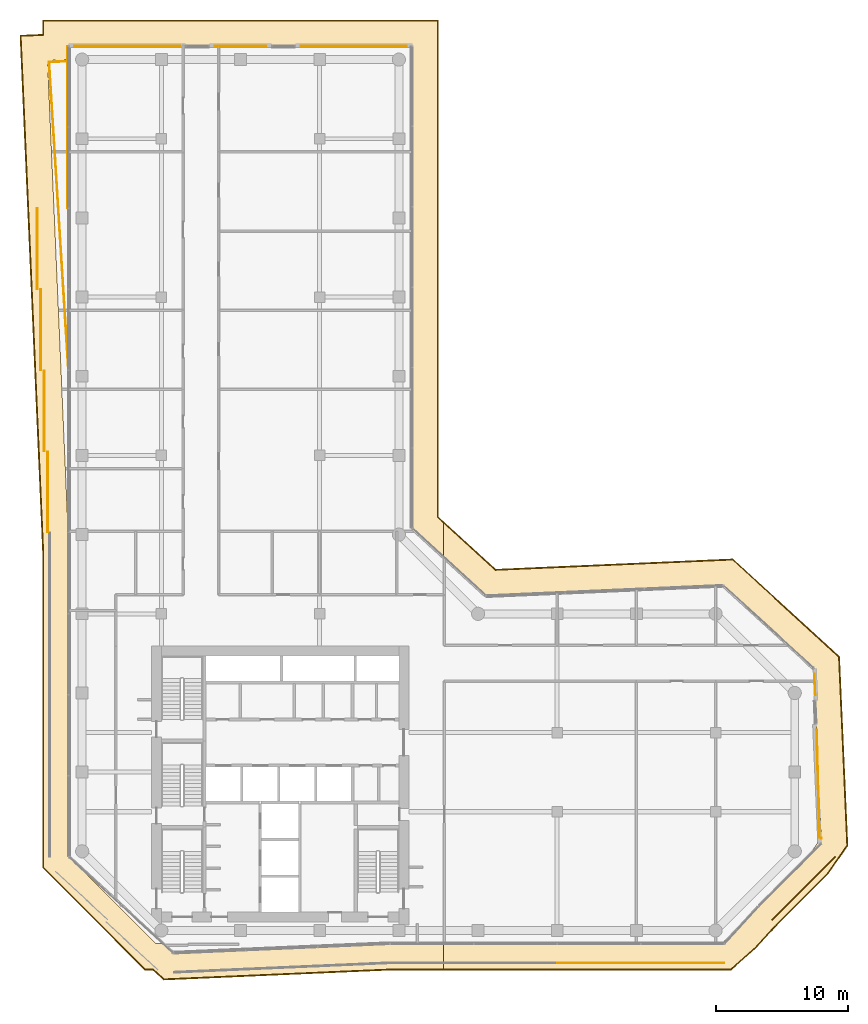
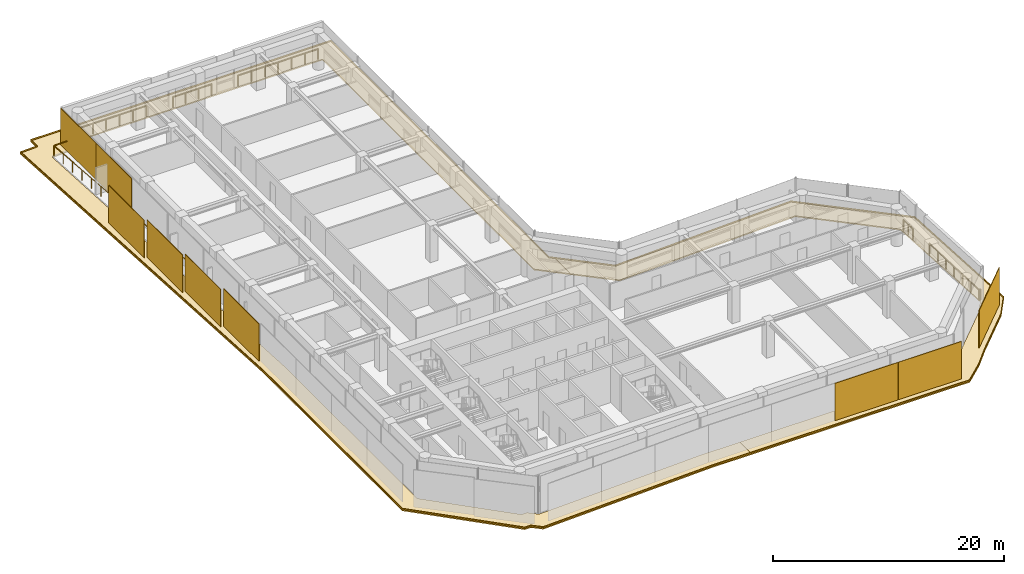
# One storey, part 24 of 24: 13 coverings, 6 railings.
"""IFC4 building model written with IfcOpenShell, lengths in metres."""

from ifc_helpers import new_model, si_unit, direction, frame, origin, origin_2d, place, context, subcontext, project, spatial, polyline, rectangle, circle, outline, extrude, material, layer, layer_set, type_object, element, save


model = new_model("IFC4")

# Units and contexts
model_context = context("Model", 3, precision=1e-05, world=origin(), true_north=direction((0.0, 1.0)))
body_context = subcontext(model_context, "Body", "Model", "MODEL_VIEW")
ifc_project = project(units=[si_unit("LENGTHUNIT", "METRE"), si_unit("AREAUNIT", "SQUARE_METRE"), si_unit("VOLUMEUNIT", "CUBIC_METRE"), si_unit("PLANEANGLEUNIT", "RADIAN"), si_unit("MASSUNIT", "GRAM", prefix="KILO")], contexts=[model_context])

# Site, building, storey
site_placement = place(None, origin())
site = spatial("IfcSite", under=ifc_project, at=site_placement, CompositionType="ELEMENT")
building_placement = place(site_placement, origin())
building = spatial("IfcBuilding", under=site, at=building_placement, Name="Welwitschia Terrace Campus", CompositionType="ELEMENT")
storey_placement = place(building_placement, frame((0.0, 0.0, 100.39990234375)))
storey = spatial("IfcBuildingStorey", under=building, at=storey_placement, Name="L22", CompositionType="ELEMENT", Elevation=100.39990234375)

# Coverings
ifc_material_1 = material(Name="Bronze mesh aluminium screen", Category="aluminium")
ifc_layer_1 = layer(ifc_material_1, 0.06005859375)
ifc_layer_set_1 = layer_set([ifc_layer_1], Name="Bronze mesh aluminium screen")
covering_type_1 = type_object("IfcCoveringType", Name="Bronze screen 60", PredefinedType="USERDEFINED", material=ifc_layer_set_1)
for number, where, z_axis, x_axis, name in (
    (1, (39.1669921875, 1.5400390625, 0.0), (0.0, 0.0, 1.0), (1.0, 0.0, 0.0), "Screen L22.2.2"),
    (2, (45.49853515625, 1.5400390625, 0.0), (0.0, 0.0, 1.0), (1.0, 0.0, 0.0), "Screen L22.2.3"),
):
    element("IfcCovering", number, at=place(storey_placement, frame(where, z_axis=z_axis, x_axis=x_axis)), inside=storey, type_object=covering_type_1, Name=name, ObjectType="SCREEN", PredefinedType="USERDEFINED", context=body_context, shape_type="SweptSolid", body=[
        extrude(rectangle(XDim=6.3115234375, YDim=0.06005859375, at=origin_2d()), origin(), (0.0, 0.0, 1.0), 3.949951171875),
    ])
covering_1_placement = place(storey_placement, frame((54.6689453125, 7.18994140625, 0.0), z_axis=(0.0, 0.0, 1.0), x_axis=(0.707106781187, 0.707106781187, 0.0)))
element("IfcCovering", 3, at=covering_1_placement, inside=storey, type_object=covering_type_1, Name="Screen L22.4.0", ObjectType="SCREEN", PredefinedType="USERDEFINED", context=body_context, shape_type="SweptSolid", body=[
    extrude(rectangle(XDim=6.73828125, YDim=0.06005859375, at=origin_2d()), origin(), (0.0, 0.0, 1.0), 3.949951171875),
])
for number, where, z_axis, x_axis, name in (
    (4, (-1.1201171875, 67.957275390625, 0.0), (0.0, 0.0, 1.0), (0.0, -1.0, 0.0), "Screen L22.11.0"),
    (5, (-1.1201171875, 61.8115234375, 0.0), (0.0, 0.0, 1.0), (0.0, -1.0, 0.0), "Screen L22.11.1"),
):
    element("IfcCovering", number, at=place(storey_placement, frame(where, z_axis=z_axis, x_axis=x_axis)), inside=storey, type_object=covering_type_1, Name=name, ObjectType="SCREEN", PredefinedType="USERDEFINED", context=body_context, shape_type="SweptSolid", body=[
        extrude(rectangle(XDim=6.125732421875, YDim=0.06005859375, at=origin_2d()), origin(), (0.0, 0.0, 1.0), 3.85009765625),
    ])
for number, where, z_axis, x_axis, name in (
    (6, (-3.4033203125, 55.665771484375, 0.0), (0.0, 0.0, 1.0), (0.0, -1.0, 0.0), "Screen L22.11.2"),
    (7, (-3.13525390625, 49.520263671875, 0.0), (0.0, 0.0, 1.0), (0.0, -1.0, 0.0), "Screen L22.11.3"),
    (8, (-2.8671875, 43.37451171875, 0.0), (0.0, 0.0, 1.0), (0.0, -1.0, 0.0), "Screen L22.11.4"),
    (9, (-2.59912109375, 37.228759765625, 0.0), (0.0, 0.0, 1.0), (0.0, -1.0, 0.0), "Screen L22.11.5"),
):
    element("IfcCovering", number, at=place(storey_placement, frame(where, z_axis=z_axis, x_axis=x_axis)), inside=storey, type_object=covering_type_1, Name=name, ObjectType="SCREEN", PredefinedType="USERDEFINED", context=body_context, shape_type="SweptSolid", body=[
        extrude(rectangle(XDim=6.125732421875, YDim=0.06005859375, at=origin_2d()), origin(), (0.0, 0.0, 1.0), 3.949951171875),
    ])

# Railings
ifc_material_2 = material(Name="Stainless steel grade 316", Category="steel")
railing_type = type_object("IfcRailingType", Name="Guard 1100", PredefinedType="GUARDRAIL", material=ifc_material_2)
railing_1_placement = place(storey_placement, frame((-1.030029296875, 46.408447265625, 0.0)))
element("IfcRailing", 10, at=railing_1_placement, inside=storey, type_object=railing_type, Name="Guard floor edge L22.0", PredefinedType="GUARDRAIL", context=body_context, shape_type="SweptSolid", body=[
    extrude(circle(Radius=0.02392578125, at=origin_2d()), frame((0.0, 0.0, 1.076171875), z_axis=(-0.062757389096, 0.998028812266, 0.0), x_axis=(-0.998028812266, -0.062757389096, 0.0)), (0.0, 0.0, 1.0), 23.4541015625),
    extrude(circle(Radius=0.02392578125, at=origin_2d()), frame((-1.471923828125, 23.407958984375, 1.076171875), z_axis=(0.999539656889, 0.030339319491, 0.0), x_axis=(-0.030339319491, 0.999539656889, 0.0)), (0.0, 0.0, 1.0), 1.47265625),
    extrude(circle(Radius=0.02099609375, at=origin_2d()), origin(), (0.0, 0.0, 1.0), 1.052001953125),
    extrude(circle(Radius=0.02099609375, at=origin_2d()), frame((-0.092041015625, 1.462890625, 0.0)), (0.0, 0.0, 1.0), 1.052001953125),
    extrude(circle(Radius=0.02099609375, at=origin_2d()), frame((-0.18408203125, 2.926025390625, 0.0)), (0.0, 0.0, 1.0), 1.052001953125),
    extrude(circle(Radius=0.02099609375, at=origin_2d()), frame((-0.27587890625, 4.388916015625, 0.0)), (0.0, 0.0, 1.0), 1.052001953125),
    extrude(circle(Radius=0.02099609375, at=origin_2d()), frame((-0.367919921875, 5.85205078125, 0.0)), (0.0, 0.0, 1.0), 1.052001953125),
    extrude(circle(Radius=0.02099609375, at=origin_2d()), frame((-0.4599609375, 7.31494140625, 0.0)), (0.0, 0.0, 1.0), 1.052001953125),
    extrude(circle(Radius=0.02099609375, at=origin_2d()), frame((-0.552001953125, 8.778076171875, 0.0)), (0.0, 0.0, 1.0), 1.052001953125),
    extrude(circle(Radius=0.02099609375, at=origin_2d()), frame((-0.64404296875, 10.240966796875, 0.0)), (0.0, 0.0, 1.0), 1.052001953125),
    extrude(circle(Radius=0.02099609375, at=origin_2d()), frame((-0.73583984375, 11.7041015625, 0.0)), (0.0, 0.0, 1.0), 1.052001953125),
    extrude(circle(Radius=0.02099609375, at=origin_2d()), frame((-0.827880859375, 13.1669921875, 0.0)), (0.0, 0.0, 1.0), 1.052001953125),
    extrude(circle(Radius=0.02099609375, at=origin_2d()), frame((-0.919921875, 14.6298828125, 0.0)), (0.0, 0.0, 1.0), 1.052001953125),
    extrude(circle(Radius=0.02099609375, at=origin_2d()), frame((-1.011962890625, 16.093017578125, 0.0)), (0.0, 0.0, 1.0), 1.052001953125),
    extrude(circle(Radius=0.02099609375, at=origin_2d()), frame((-1.10400390625, 17.555908203125, 0.0)), (0.0, 0.0, 1.0), 1.052001953125),
    extrude(circle(Radius=0.02099609375, at=origin_2d()), frame((-1.196044921875, 19.01904296875, 0.0)), (0.0, 0.0, 1.0), 1.052001953125),
    extrude(circle(Radius=0.02099609375, at=origin_2d()), frame((-1.287841796875, 20.48193359375, 0.0)), (0.0, 0.0, 1.0), 1.052001953125),
    extrude(circle(Radius=0.02099609375, at=origin_2d()), frame((-1.3798828125, 21.945068359375, 0.0)), (0.0, 0.0, 1.0), 1.052001953125),
    extrude(circle(Radius=0.02099609375, at=origin_2d()), frame((-1.471923828125, 23.407958984375, 0.0)), (0.0, 0.0, 1.0), 1.052001953125),
    extrude(circle(Radius=0.02099609375, at=origin_2d()), frame((0.0, 23.45263671875, 0.0)), (0.0, 0.0, 1.0), 1.052001953125),
])
railing_2_placement = place(storey_placement, frame((-0.580078125, 71.030029296875, 0.0)))
element("IfcRailing", 11, at=railing_2_placement, inside=storey, type_object=railing_type, Name="Guard floor edge L22.1", PredefinedType="GUARDRAIL", context=body_context, shape_type="SweptSolid", body=[
    extrude(circle(Radius=0.02392578125, at=origin_2d()), frame((0.0, 0.0, 1.076171875), z_axis=(1.0, 0.0, 0.0), x_axis=(0.0, 1.0, 0.0)), (0.0, 0.0, 1.0), 7.998779296875),
    extrude(circle(Radius=0.02099609375, at=origin_2d()), origin(), (0.0, 0.0, 1.0), 1.052001953125),
    extrude(circle(Radius=0.02099609375, at=origin_2d()), frame((1.3330078125, 0.0, 0.0)), (0.0, 0.0, 1.0), 1.052001953125),
    extrude(circle(Radius=0.02099609375, at=origin_2d()), frame((2.666259765625, 0.0, 0.0)), (0.0, 0.0, 1.0), 1.052001953125),
    extrude(circle(Radius=0.02099609375, at=origin_2d()), frame((3.99951171875, 0.0, 0.0)), (0.0, 0.0, 1.0), 1.052001953125),
    extrude(circle(Radius=0.02099609375, at=origin_2d()), frame((5.33251953125, 0.0, 0.0)), (0.0, 0.0, 1.0), 1.052001953125),
    extrude(circle(Radius=0.02099609375, at=origin_2d()), frame((6.66552734375, 0.0, 0.0)), (0.0, 0.0, 1.0), 1.052001953125),
    extrude(circle(Radius=0.02099609375, at=origin_2d()), frame((7.998779296875, 0.0, 0.0)), (0.0, 0.0, 1.0), 1.052001953125),
])
railing_3_placement = place(storey_placement, frame((10.066162109375, 71.030029296875, 0.0)))
element("IfcRailing", 12, at=railing_3_placement, inside=storey, type_object=railing_type, Name="Guard floor edge L22.2", PredefinedType="GUARDRAIL", context=body_context, shape_type="SweptSolid", body=[
    extrude(circle(Radius=0.02392578125, at=origin_2d()), frame((0.0, 0.0, 1.076171875), z_axis=(1.0, 0.0, 0.0), x_axis=(0.0, 1.0, 0.0)), (0.0, 0.0, 1.0), 3.86767578125),
    extrude(circle(Radius=0.02099609375, at=origin_2d()), origin(), (0.0, 0.0, 1.0), 1.052001953125),
    extrude(circle(Radius=0.02099609375, at=origin_2d()), frame((1.289306640625, 0.0, 0.0)), (0.0, 0.0, 1.0), 1.052001953125),
    extrude(circle(Radius=0.02099609375, at=origin_2d()), frame((2.578369140625, 0.0, 0.0)), (0.0, 0.0, 1.0), 1.052001953125),
    extrude(circle(Radius=0.02099609375, at=origin_2d()), frame((3.86767578125, 0.0, 0.0)), (0.0, 0.0, 1.0), 1.052001953125),
])
railing_4_placement = place(storey_placement, frame((16.581298828125, 71.030029296875, 0.0)))
element("IfcRailing", 13, at=railing_4_placement, inside=storey, type_object=railing_type, Name="Guard floor edge L22.3", PredefinedType="GUARDRAIL", context=body_context, shape_type="SweptSolid", body=[
    extrude(circle(Radius=0.02392578125, at=origin_2d()), frame((0.0, 0.0, 1.076171875), z_axis=(1.0, 0.0, 0.0), x_axis=(0.0, 1.0, 0.0)), (0.0, 0.0, 1.0), 7.998779296875),
    extrude(circle(Radius=0.02099609375, at=origin_2d()), origin(), (0.0, 0.0, 1.0), 1.052001953125),
    extrude(circle(Radius=0.02099609375, at=origin_2d()), frame((1.3330078125, 0.0, 0.0)), (0.0, 0.0, 1.0), 1.052001953125),
    extrude(circle(Radius=0.02099609375, at=origin_2d()), frame((2.666259765625, 0.0, 0.0)), (0.0, 0.0, 1.0), 1.052001953125),
    extrude(circle(Radius=0.02099609375, at=origin_2d()), frame((3.99951171875, 0.0, 0.0)), (0.0, 0.0, 1.0), 1.052001953125),
    extrude(circle(Radius=0.02099609375, at=origin_2d()), frame((5.33251953125, 0.0, 0.0)), (0.0, 0.0, 1.0), 1.052001953125),
    extrude(circle(Radius=0.02099609375, at=origin_2d()), frame((6.66552734375, 0.0, 0.0)), (0.0, 0.0, 1.0), 1.052001953125),
    extrude(circle(Radius=0.02099609375, at=origin_2d()), frame((7.998779296875, 0.0, 0.0)), (0.0, 0.0, 1.0), 1.052001953125),
])
railing_5_placement = place(storey_placement, frame((55.48681640625, 23.4248046875, 0.0)))
element("IfcRailing", 14, at=railing_5_placement, inside=storey, type_object=railing_type, Name="Guard floor edge L22.4", PredefinedType="GUARDRAIL", context=body_context, shape_type="SweptSolid", body=[
    extrude(circle(Radius=0.02392578125, at=origin_2d()), frame((0.0, 0.0, 1.076171875), z_axis=(0.04353844213, -0.999051752442, 0.0), x_axis=(0.999051752442, 0.04353844213, 0.0)), (0.0, 0.0, 1.0), 1.570068359375),
    extrude(circle(Radius=0.02099609375, at=origin_2d()), origin(), (0.0, 0.0, 1.0), 1.052001953125),
    extrude(circle(Radius=0.02099609375, at=origin_2d()), frame((0.0341796875, -0.7841796875, 0.0)), (0.0, 0.0, 1.0), 1.052001953125),
    extrude(circle(Radius=0.02099609375, at=origin_2d()), frame((0.068359375, -1.568603515625, 0.0)), (0.0, 0.0, 1.0), 1.052001953125),
])
railing_6_placement = place(storey_placement, frame((55.670654296875, 19.211181640625, 0.0)))
element("IfcRailing", 15, at=railing_6_placement, inside=storey, type_object=railing_type, Name="Guard floor edge L22.5", PredefinedType="GUARDRAIL", context=body_context, shape_type="SweptSolid", body=[
    extrude(circle(Radius=0.02392578125, at=origin_2d()), frame((0.0, 0.0, 1.076171875), z_axis=(0.025250819664, -0.99968114722, 0.0), x_axis=(0.99968114722, 0.025250819664, 0.0)), (0.0, 0.0, 1.0), 8.160400390625),
    extrude(circle(Radius=0.02392578125, at=origin_2d()), frame((0.2060546875, -8.15771484375, 1.076171875), z_axis=(0.927142910533, -0.374707917516, 0.0), x_axis=(0.374707917516, 0.927142910533, 0.0)), (0.0, 0.0, 1.0), 0.164794921875),
    extrude(circle(Radius=0.02099609375, at=origin_2d()), origin(), (0.0, 0.0, 1.0), 1.052001953125),
    extrude(circle(Radius=0.02099609375, at=origin_2d()), frame((0.034423828125, -1.359619140625, 0.0)), (0.0, 0.0, 1.0), 1.052001953125),
    extrude(circle(Radius=0.02099609375, at=origin_2d()), frame((0.068603515625, -2.71923828125, 0.0)), (0.0, 0.0, 1.0), 1.052001953125),
    extrude(circle(Radius=0.02099609375, at=origin_2d()), frame((0.10302734375, -4.078857421875, 0.0)), (0.0, 0.0, 1.0), 1.052001953125),
    extrude(circle(Radius=0.02099609375, at=origin_2d()), frame((0.137451171875, -5.4384765625, 0.0)), (0.0, 0.0, 1.0), 1.052001953125),
    extrude(circle(Radius=0.02099609375, at=origin_2d()), frame((0.171630859375, -6.798095703125, 0.0)), (0.0, 0.0, 1.0), 1.052001953125),
    extrude(circle(Radius=0.02099609375, at=origin_2d()), frame((0.2060546875, -8.15771484375, 0.0)), (0.0, 0.0, 1.0), 1.052001953125),
    extrude(circle(Radius=0.02099609375, at=origin_2d()), frame((0.35888671875, -8.219482421875, 0.0)), (0.0, 0.0, 1.0), 1.052001953125),
])

# Coverings
ifc_material_3 = material(Name="Bronze anodised aluminium", Category="aluminium")
ifc_layer_2 = layer(ifc_material_3, 0.1201171875)
ifc_layer_set_2 = layer_set([ifc_layer_2], Name="Bronze anodised aluminium")
covering_type_2 = type_object("IfcCoveringType", Name="Sunshade band 2000", PredefinedType="USERDEFINED", material=ifc_layer_set_2)
covering_2_placement = place(storey_placement, frame((0.0, 0.0, -0.25)))
element("IfcCovering", 16, at=covering_2_placement, inside=storey, type_object=covering_type_2, Name="SUNSHADE L22.SW0", ObjectType="SUNSHADE", PredefinedType="USERDEFINED", context=body_context, shape_type="SweptSolid", body=[
    extrude(outline(polyline([(-3.0, 73.0), (27.0, 73.0), (27.0, 35.343017578125), (27.372802734375, 35.001220703125), (27.372802734375, 32.28857421875), (25.0, 34.462890625), (25.0, 71.0), (-1.0, 71.0), (-1.0, 70.002197265625), (-2.627197265625, 69.93115234375), (-1.0, 32.66357421875), (-1.0, 9.585693359375), (5.585693359375, 3.0), (6.13623046875, 3.0), (6.91845703125, 2.283203125), (23.33740234375, 3.0), (27.372802734375, 3.0), (27.372802734375, 1.0), (23.381103515625, 1.0), (6.177978515625, 0.248779296875), (5.3583984375, 1.0), (4.75732421875, 1.0), (-3.0, 8.75732421875), (-3.0, 32.619873046875), (-4.71240234375, 71.842041015625), (-3.0, 71.916748046875), (-3.0, 73.0)])), origin(), (0.0, 0.0, 1.0), 0.1201171875),
])
covering_3_placement = place(storey_placement, frame((0.0, 0.0, -0.25)))
element("IfcCovering", 17, at=covering_3_placement, inside=storey, type_object=covering_type_2, Name="SUNSHADE L22.SE0", ObjectType="SUNSHADE", PredefinedType="USERDEFINED", context=body_context, shape_type="SweptSolid", body=[
    extrude(outline(polyline([(31.32958984375, 31.37548828125), (49.3125, 32.160888671875), (57.40087890625, 24.749267578125), (58.02587890625, 10.429443359375), (56.539306640625, 8.296875), (52.69189453125, 4.44921875), (51.1123046875, 2.7255859375), (49.176025390625, 1.0), (27.372802734375, 1.0), (27.372802734375, 3.0), (48.414306640625, 3.0), (49.706298828125, 4.1513671875), (51.24658203125, 5.83251953125), (55.0, 9.585693359375), (55.998291015625, 11.01806640625), (55.438720703125, 23.834228515625), (48.572021484375, 30.12646484375), (30.589111328125, 29.34130859375), (27.372802734375, 32.28857421875), (27.372802734375, 35.001220703125), (31.32958984375, 31.37548828125)])), origin(), (0.0, 0.0, 1.0), 0.1201171875),
])
ifc_material_4 = material(Name="Bronze anodised aluminium", Category="aluminium")
ifc_layer_3 = layer(ifc_material_4, 0.06005859375)
ifc_layer_set_3 = layer_set([ifc_layer_3], Name="Bronze anodised aluminium")
covering_type_3 = type_object("IfcCoveringType", Name="Sunshade lip 60", PredefinedType="USERDEFINED", material=ifc_layer_set_3)
covering_4_placement = place(storey_placement, frame((0.0, 0.0, -0.1298828125)))
element("IfcCovering", 18, at=covering_4_placement, inside=storey, type_object=covering_type_3, Name="SUNSHADE LIP L22.SW0.0", ObjectType="SUNSHADE", PredefinedType="USERDEFINED", context=body_context, shape_type="SweptSolid", body=[
    extrude(outline(polyline([(27.0, 73.0), (27.0, 35.343017578125), (27.372802734375, 35.001220703125), (27.372802734375, 34.919921875), (26.93994140625, 35.316650390625), (26.93994140625, 72.93994140625), (-2.93994140625, 72.93994140625), (-2.93994140625, 71.859375), (-4.64990234375, 71.78466796875), (-2.93994140625, 32.62109375), (-2.93994140625, 8.7822265625), (4.7822265625, 1.06005859375), (5.3818359375, 1.06005859375), (6.2001953125, 0.309814453125), (23.3798828125, 1.06005859375), (27.372802734375, 1.06005859375), (27.372802734375, 1.0), (23.381103515625, 1.0), (6.177978515625, 0.248779296875), (5.3583984375, 1.0), (4.75732421875, 1.0), (-3.0, 8.75732421875), (-3.0, 32.619873046875), (-4.71240234375, 71.842041015625), (-3.0, 71.916748046875), (-3.0, 73.0), (27.0, 73.0)])), origin(), (0.0, 0.0, 1.0), 0.1298828125),
])
covering_5_placement = place(storey_placement, frame((0.0, 0.0, -0.1298828125)))
element("IfcCovering", 19, at=covering_5_placement, inside=storey, type_object=covering_type_3, Name="SUNSHADE LIP L22.SE0.0", ObjectType="SUNSHADE", PredefinedType="USERDEFINED", context=body_context, shape_type="SweptSolid", body=[
    extrude(outline(polyline([(49.3125, 32.160888671875), (57.40087890625, 24.749267578125), (58.02587890625, 10.429443359375), (56.539306640625, 8.296875), (52.69189453125, 4.44921875), (51.1123046875, 2.7255859375), (49.176025390625, 1.0), (27.372802734375, 1.0), (27.372802734375, 1.06005859375), (49.1533203125, 1.06005859375), (51.070068359375, 2.768310546875), (52.6484375, 4.490478515625), (56.493408203125, 8.33544921875), (57.965087890625, 10.447021484375), (57.341796875, 24.7216796875), (49.290283203125, 32.099609375), (31.307373046875, 31.314697265625), (27.372802734375, 34.919921875), (27.372802734375, 35.001220703125), (31.32958984375, 31.37548828125), (49.3125, 32.160888671875)])), origin(), (0.0, 0.0, 1.0), 0.1298828125),
])

save(model, "model.ifc")
